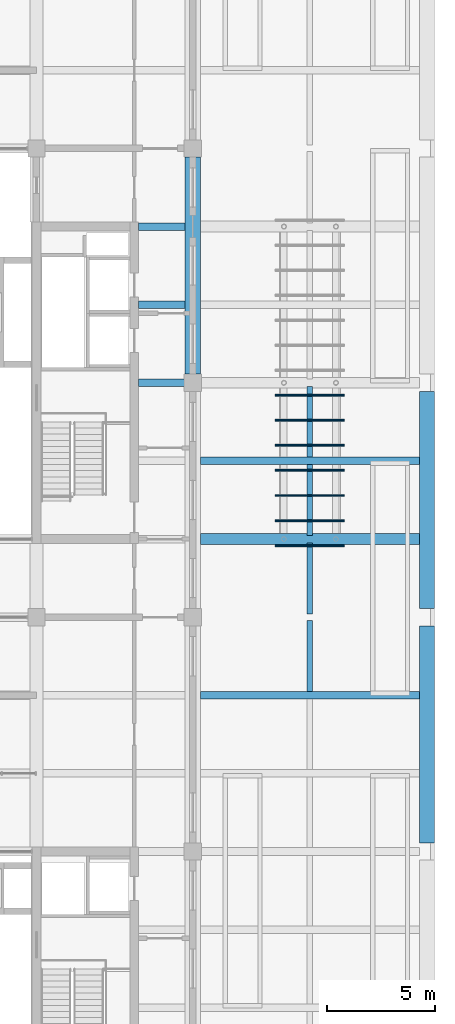
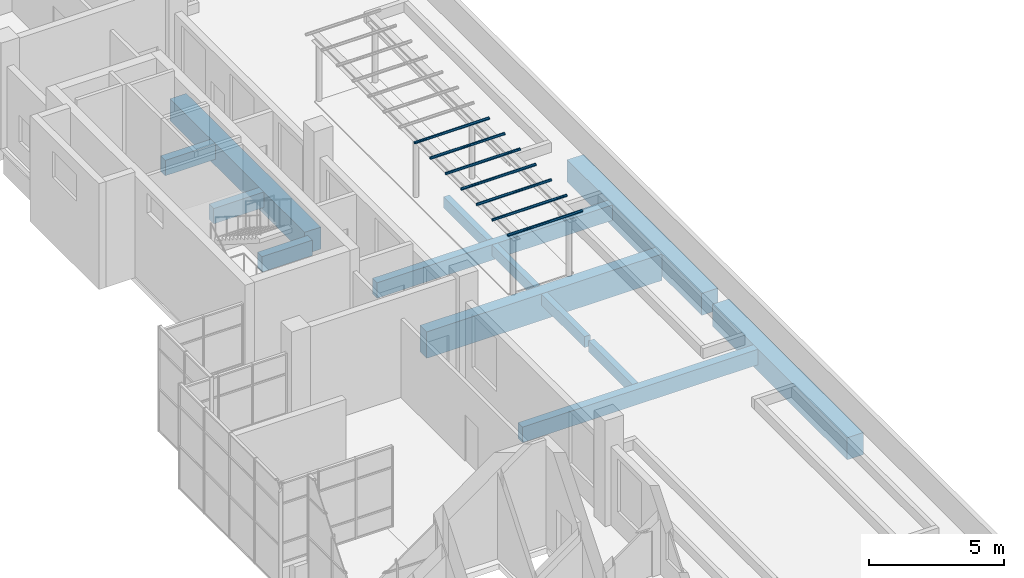
# One storey, part 6 of 16: 13 beams, 7 members.
"""IFC4 building model written with IfcOpenShell, lengths in metres."""

from ifc_helpers import new_model, si_unit, direction, frame, origin, origin_2d, place, context, subcontext, project, spatial, rectangle, hollow_circle, extrude, material, material_profile, profile_set, type_object, element, save


model = new_model("IFC4")

# Units and contexts
model_context = context("Model", 3, precision=1e-05, world=origin(), true_north=direction((0.0, 1.0)))
body_context = subcontext(model_context, "Body", "Model", "MODEL_VIEW")
ifc_project = project(units=[si_unit("LENGTHUNIT", "METRE"), si_unit("AREAUNIT", "SQUARE_METRE"), si_unit("VOLUMEUNIT", "CUBIC_METRE"), si_unit("PLANEANGLEUNIT", "RADIAN"), si_unit("MASSUNIT", "GRAM", prefix="KILO")], contexts=[model_context])

# Site, building, storey
site_placement = place(None, origin())
site = spatial("IfcSite", under=ifc_project, at=site_placement, CompositionType="ELEMENT")
building_placement = place(site_placement, origin())
building = spatial("IfcBuilding", under=site, at=building_placement, Name="Basin Gate Institute", CompositionType="ELEMENT")
storey_placement = place(building_placement, frame((0.0, 0.0, 65.39990234375)))
storey = spatial("IfcBuildingStorey", under=building, at=storey_placement, Name="L13", CompositionType="ELEMENT", Elevation=65.39990234375)

# Beams
ifc_material_1 = material(Name="Concrete 40 MPa", Category="concrete")
ifc_material_profile_1 = material_profile(ifc_material_1, rectangle(XDim=0.35009765625, YDim=0.699951171875, at=origin_2d()), Name="Beam B1 350 x 700")
ifc_profile_set_1 = profile_set([ifc_material_profile_1], Name="Concrete 40 MPa")
beam_type_1 = type_object("IfcBeamType", Name="Beam B1 R120", PredefinedType="BEAM", material=ifc_profile_set_1)
for number, where, z_axis, x_axis, name in (
    (1, (68.75, 53.10009765625, -0.599853515625), (1.0, 0.0, 0.0), (0.0, 1.0, 0.0), "BEAM/L13/W/EW/06"),
    (2, (68.75, 63.89990234375, -0.599853515625), (1.0, 0.0, 0.0), (0.0, 1.0, 0.0), "BEAM/L13/W/EW/09"),
):
    element("IfcBeam", number, at=place(storey_placement, frame(where, z_axis=z_axis, x_axis=x_axis)), inside=storey, type_object=beam_type_1, material=ifc_profile_set_1, Name=name, PredefinedType="BEAM", context=body_context, shape_type="SweptSolid", body=[
        extrude(rectangle(XDim=0.35009765625, YDim=0.699951171875, at=origin_2d()), origin(), (0.0, 0.0, 1.0), 10.10009765625),
    ])
for number, where, z_axis, x_axis, name in (
    (3, (65.89990234375, 67.5, -0.599853515625), (1.0, 0.0, 0.0), (0.0, 1.0, 0.0), "BEAM/L13/W/CORR/10"),
    (4, (65.89990234375, 71.10009765625, -0.599853515625), (1.0, 0.0, 0.0), (0.0, 1.0, 0.0), "BEAM/L13/W/CORR/11"),
    (5, (65.89990234375, 74.699951171875, -0.599853515625), (1.0, 0.0, 0.0), (0.0, 1.0, 0.0), "BEAM/L13/W/CORR/12"),
):
    element("IfcBeam", number, at=place(storey_placement, frame(where, z_axis=z_axis, x_axis=x_axis)), inside=storey, type_object=beam_type_1, material=ifc_profile_set_1, Name=name, PredefinedType="BEAM", context=body_context, shape_type="SweptSolid", body=[
        extrude(rectangle(XDim=0.35009765625, YDim=0.699951171875, at=origin_2d()), origin(), (0.0, 0.0, 1.0), 2.150146484375),
    ])
ifc_material_2 = material(Name="Concrete 40 MPa", Category="concrete")
ifc_material_profile_2 = material_profile(ifc_material_2, rectangle(XDim=0.5, YDim=1.199951171875, at=origin_2d()), Name="Garden transfer beam TB1 500 x 1200")
ifc_profile_set_2 = profile_set([ifc_material_profile_2], Name="Concrete 40 MPa")
beam_type_2 = type_object("IfcBeamType", Name="Garden transfer beam TB1", PredefinedType="BEAM", material=ifc_profile_set_2)
beam_1_placement = place(storey_placement, frame((68.75, 60.300048828125, -0.849853515625), z_axis=(1.0, 0.0, 0.0), x_axis=(0.0, 1.0, 0.0)))
element("IfcBeam", 6, at=beam_1_placement, inside=storey, type_object=beam_type_2, material=ifc_profile_set_2, Name="BEAM/L13/W/EW/08", PredefinedType="BEAM", context=body_context, shape_type="SweptSolid", body=[
    extrude(rectangle(XDim=0.5, YDim=1.199951171875, at=origin_2d()), origin(), (0.0, 0.0, 1.0), 10.10009765625),
])
ifc_material_3 = material(Name="Concrete 50 MPa", Category="concrete")
ifc_material_profile_3 = material_profile(ifc_material_3, rectangle(XDim=0.699951171875, YDim=1.0, at=origin_2d()), Name="Girder G1 700 x 1000")
ifc_profile_set_3 = profile_set([ifc_material_profile_3], Name="Concrete 50 MPa")
beam_type_3 = type_object("IfcBeamType", Name="Girder G1 R120", PredefinedType="BEAM", material=ifc_profile_set_3)
for number, where, z_axis, x_axis, name in (
    (7, (68.39990234375, 67.89990234375, -0.75), (0.0, 1.0, 0.0), (-1.0, 0.0, 0.0), "GIR/L13/W5/4"),
    (8, (79.199951171875, 46.300048828125, -0.75), (0.0, 1.0, 0.0), (-1.0, 0.0, 0.0), "GIR/L13/W6/2"),
    (9, (79.199951171875, 57.10009765625, -0.75), (0.0, 1.0, 0.0), (-1.0, 0.0, 0.0), "GIR/L13/W6/3"),
):
    element("IfcBeam", number, at=place(storey_placement, frame(where, z_axis=z_axis, x_axis=x_axis)), inside=storey, type_object=beam_type_3, material=ifc_profile_set_3, Name=name, PredefinedType="BEAM", context=body_context, shape_type="SweptSolid", body=[
        extrude(rectangle(XDim=0.699951171875, YDim=1.0, at=origin_2d()), origin(), (0.0, 0.0, 1.0), 10.0),
    ])

# Members
ifc_material_4 = material(Name="Structural steel SN490", Category="steel")
ifc_material_profile_4 = material_profile(ifc_material_4, hollow_circle(Radius=0.05712890625, WallThickness=0.0048828125, at=origin_2d()), Name="CHS114x5")
ifc_profile_set_4 = profile_set([ifc_material_profile_4], Name="Structural steel SN490")
member_type = type_object("IfcMemberType", Name="Pergola rafter TD5", PredefinedType="RAFTER", material=ifc_profile_set_4)
for number, where, z_axis, x_axis, name in (
    (10, (72.199951171875, 60.0, 2.955322265625), (1.0, 0.0, 0.0), (0.0, 1.0, 0.0), "Pergola rafter TD5 W1"),
    (11, (72.199951171875, 61.15380859375, 2.955322265625), (1.0, 0.0, 0.0), (0.0, 1.0, 0.0), "Pergola rafter TD5 W2"),
    (12, (72.199951171875, 62.3076171875, 2.955322265625), (1.0, 0.0, 0.0), (0.0, 1.0, 0.0), "Pergola rafter TD5 W3"),
    (13, (72.199951171875, 63.46142578125, 2.955322265625), (1.0, 0.0, 0.0), (0.0, 1.0, 0.0), "Pergola rafter TD5 W4"),
    (14, (72.199951171875, 64.615478515625, 2.955322265625), (1.0, 0.0, 0.0), (0.0, 1.0, 0.0), "Pergola rafter TD5 W5"),
    (15, (72.199951171875, 65.769287109375, 2.955322265625), (1.0, 0.0, 0.0), (0.0, 1.0, 0.0), "Pergola rafter TD5 W6"),
    (16, (72.199951171875, 66.923095703125, 2.955322265625), (1.0, 0.0, 0.0), (0.0, 1.0, 0.0), "Pergola rafter TD5 W7"),
):
    element("IfcMember", number, at=place(storey_placement, frame(where, z_axis=z_axis, x_axis=x_axis)), inside=storey, type_object=member_type, material=ifc_profile_set_4, Name=name, PredefinedType="RAFTER", context=body_context, shape_type="SweptSolid", body=[
        extrude(hollow_circle(Radius=0.05712890625, WallThickness=0.0048828125, at=origin_2d()), origin(), (0.0, 0.0, 1.0), 3.199951171875),
    ])

# Beams
ifc_material_5 = material(Name="Concrete 40 MPa", Category="concrete")
ifc_material_profile_5 = material_profile(ifc_material_5, rectangle(XDim=0.25, YDim=0.5, at=origin_2d()), Name="Rib R1 250 x 500")
ifc_profile_set_5 = profile_set([ifc_material_profile_5], Name="Concrete 40 MPa")
beam_type_4 = type_object("IfcBeamType", Name="Rib R1 R120", PredefinedType="JOIST", material=ifc_profile_set_5)
beam_2_placement = place(storey_placement, frame((73.800048828125, 53.27490234375, -0.5), z_axis=(0.0, 1.0, 0.0), x_axis=(-1.0, 0.0, 0.0)))
element("IfcBeam", 17, at=beam_2_placement, inside=storey, type_object=beam_type_4, material=ifc_profile_set_5, Name="BEAM/L13/W/RIB/06", PredefinedType="JOIST", context=body_context, shape_type="SweptSolid", body=[
    extrude(rectangle(XDim=0.25, YDim=0.5, at=origin_2d()), origin(), (0.0, 0.0, 1.0), 3.275146484375),
])
beam_3_placement = place(storey_placement, frame((73.800048828125, 56.85009765625, -0.5), z_axis=(0.0, 1.0, 0.0), x_axis=(-1.0, 0.0, 0.0)))
element("IfcBeam", 18, at=beam_3_placement, inside=storey, type_object=beam_type_4, material=ifc_profile_set_5, Name="BEAM/L13/W/RIB/07", PredefinedType="JOIST", context=body_context, shape_type="SweptSolid", body=[
    extrude(rectangle(XDim=0.25, YDim=0.5, at=origin_2d()), origin(), (0.0, 0.0, 1.0), 3.27490234375),
])
for number, where, z_axis, x_axis, name in (
    (19, (73.800048828125, 60.47509765625, -0.5), (0.0, 1.0, 0.0), (-1.0, 0.0, 0.0), "BEAM/L13/W/RIB/08"),
    (20, (73.800048828125, 64.074951171875, -0.5), (0.0, 1.0, 0.0), (-1.0, 0.0, 0.0), "BEAM/L13/W/RIB/09"),
):
    element("IfcBeam", number, at=place(storey_placement, frame(where, z_axis=z_axis, x_axis=x_axis)), inside=storey, type_object=beam_type_4, material=ifc_profile_set_5, Name=name, PredefinedType="JOIST", context=body_context, shape_type="SweptSolid", body=[
        extrude(rectangle(XDim=0.25, YDim=0.5, at=origin_2d()), origin(), (0.0, 0.0, 1.0), 3.25),
    ])

save(model, "model.ifc")
